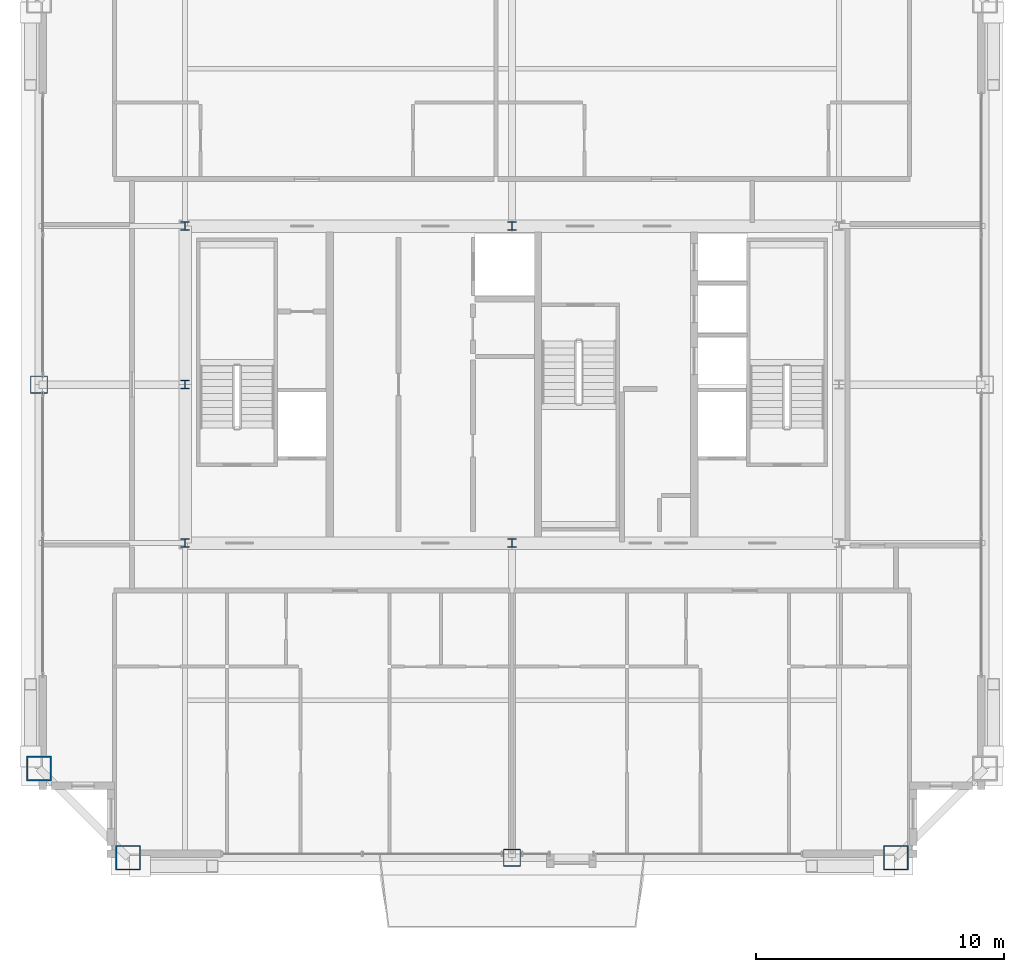
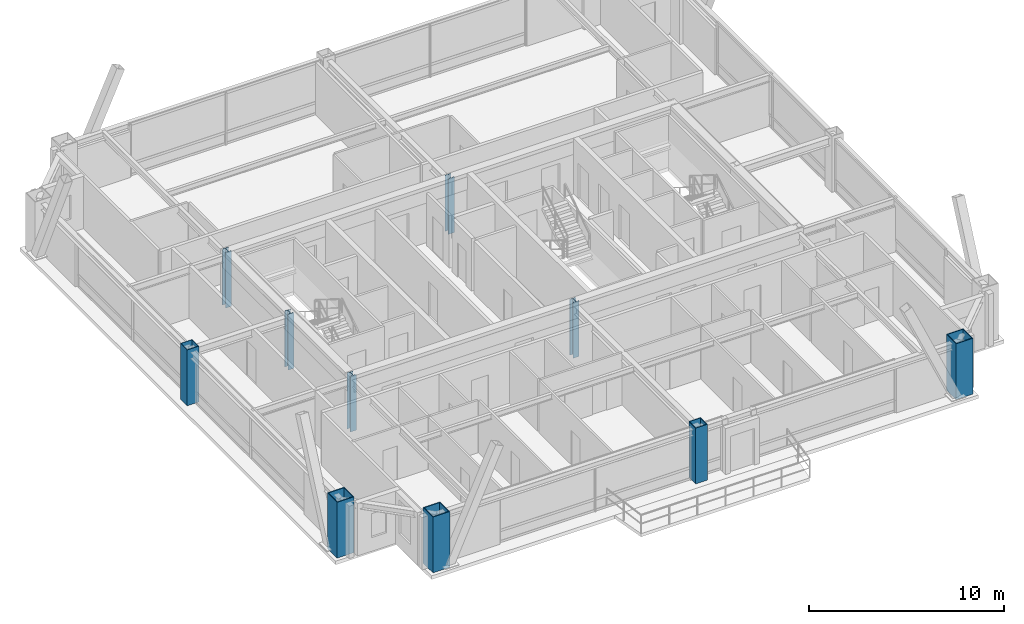
# One storey, part 1 of 34: 10 columns.
"""IFC4 building model written with IfcOpenShell, lengths in metres."""

import ifcopenshell
import ifcopenshell.guid

model = None  # the IFC model being written
_history = None  # IfcOwnerHistory: only IFC2X3 demands one
_inside = {}  # id of a spatial element -> (the spatial element, [elements in it])
_under = {}  # id of a project, library or spatial element -> (it, [spatial elements below it])
_declared = {}  # id of a project -> (the project, [libraries it declares])
_typed = {}  # id of a type object -> (the type object, [elements of that type])
_made_of = {}  # id of a material, layer set ... -> (it, [elements and type objects made of it])


def new_model(schema):
    """Start an empty IFC model of exactly this schema.

    Asked for "IFC4X3", IfcOpenShell would pick the latest addendum, in which some entities
    have other attributes; the version numbers below select the first issue.
    IFC2X3 requires an IfcOwnerHistory on every rooted entity: one is made here for all.
    """
    global model, _history
    if schema == "IFC4X3":
        model = ifcopenshell.file(schema_version=(4, 3, 0, 0))
    else:
        model = ifcopenshell.file(schema=schema)
    _inside.clear()
    _under.clear()
    _declared.clear()
    _typed.clear()
    _made_of.clear()
    _history = None
    if model.schema == "IFC2X3":
        org = make("IfcOrganization", Name="unknown")
        user = make(
            "IfcPersonAndOrganization",
            ThePerson=make("IfcPerson", FamilyName="unknown"),
            TheOrganization=org,
        )
        app = make(
            "IfcApplication",
            ApplicationDeveloper=org,
            Version="unknown",
            ApplicationFullName="unknown",
            ApplicationIdentifier="unknown",
        )
        _history = make(
            "IfcOwnerHistory",
            OwningUser=user,
            OwningApplication=app,
            ChangeAction="ADDED",
            CreationDate=0,
        )
    return model


def make(cls, **values):
    """One entity of the class cls with the attributes given. An attribute that is None is left unset."""
    return model.create_entity(
        cls, **{name: value for name, value in values.items() if value is not None}
    )


def rooted(cls, **values):
    """An entity with a GlobalId (a new one), such as an element, a storey or a relation."""
    return make(cls, GlobalId=ifcopenshell.guid.new(), OwnerHistory=_history, **values)


def si_unit(unit_type, name, prefix=None):
    """IfcSIUnit, for example si_unit("LENGTHUNIT", "METRE", prefix="MILLI")."""
    return make("IfcSIUnit", UnitType=unit_type, Prefix=prefix, Name=name)


def assignment(units):
    """IfcUnitAssignment: the units of a project."""
    return None if units is None else make("IfcUnitAssignment", Units=units)


def point(xyz):
    """IfcCartesianPoint."""
    return None if xyz is None else make("IfcCartesianPoint", Coordinates=xyz)


def direction(xyz):
    """IfcDirection."""
    return None if xyz is None else make("IfcDirection", DirectionRatios=xyz)


def frame(location, z_axis=None, x_axis=None):
    """IfcAxis2Placement3D, a coordinate frame: its origin and axes. An axis left out is left unset."""
    return make(
        "IfcAxis2Placement3D",
        Location=point(location),
        Axis=direction(z_axis),
        RefDirection=direction(x_axis),
    )


def frame_2d(location, x_axis=None):
    """IfcAxis2Placement2D, a coordinate frame in the plane: its origin and x axis."""
    return make(
        "IfcAxis2Placement2D", Location=point(location), RefDirection=direction(x_axis)
    )


def origin():
    """The frame at (0, 0, 0) with its axes left unset."""
    return frame((0.0, 0.0, 0.0))


def origin_2d():
    """The frame at (0, 0) in the plane with its x axis left unset."""
    return frame_2d((0.0, 0.0))


def place(relative_to, where):
    """IfcLocalPlacement: puts the frame where relative to a parent placement (None: the world)."""
    return make(
        "IfcLocalPlacement", PlacementRelTo=relative_to, RelativePlacement=where
    )


def context(
    kind, dimensions, precision=None, world=None, true_north=None, identifier=None
):
    """IfcGeometricRepresentationContext, for example the 3D "Model" context."""
    return make(
        "IfcGeometricRepresentationContext",
        ContextIdentifier=identifier,
        ContextType=kind,
        CoordinateSpaceDimension=dimensions,
        Precision=precision,
        WorldCoordinateSystem=world,
        TrueNorth=true_north,
    )


def subcontext(parent, identifier, kind, view, scale=None):
    """IfcGeometricRepresentationSubContext, for example "Body" below "Model"."""
    return make(
        "IfcGeometricRepresentationSubContext",
        ContextIdentifier=identifier,
        ContextType=kind,
        ParentContext=parent,
        TargetScale=scale,
        TargetView=view,
    )


def project(units=None, contexts=None):
    """IfcProject with its units and contexts."""
    return rooted(
        "IfcProject",
        Name="project",
        RepresentationContexts=contexts,
        UnitsInContext=assignment(units),
    )


def spatial(cls, under=None, at=None, **own):
    """A site, building, storey or space (cls), placed at a placement, below another one or the project."""
    s = rooted(cls, ObjectPlacement=at, **own)
    if under is not None:
        _under.setdefault(under.id(), (under, []))[1].append(s)
    return s


def profile(cls, at=None, kind="AREA", **sizes):
    """A parametric profile (cls). Its sizes go by their IFC names, for example OverallWidth=200.0."""
    return make(cls, ProfileType=kind, Position=at, **sizes)


def hollow_rectangle(**sizes):
    """IfcRectangleHollowProfileDef."""
    return profile("IfcRectangleHollowProfileDef", **sizes)


def i_section(**sizes):
    """IfcIShapeProfileDef."""
    return profile("IfcIShapeProfileDef", **sizes)


def extrude(swept, where, along, depth):
    """IfcExtrudedAreaSolid: the profile swept, set in the frame where, extruded along a direction by depth."""
    return make(
        "IfcExtrudedAreaSolid",
        SweptArea=swept,
        Position=where,
        ExtrudedDirection=direction(along),
        Depth=depth,
    )


def shape(context_of_items, identifier, shape_type, items):
    """IfcShapeRepresentation: the items that make up one representation, for example the "Body"."""
    return make(
        "IfcShapeRepresentation",
        ContextOfItems=context_of_items,
        RepresentationIdentifier=identifier,
        RepresentationType=shape_type,
        Items=items,
    )


def source(mapping_origin, context_of_items, identifier, shape_type, items):
    """IfcRepresentationMap: a shape defined once, which mapped items show again and again."""
    return make(
        "IfcRepresentationMap",
        MappingOrigin=mapping_origin,
        MappedRepresentation=shape(context_of_items, identifier, shape_type, items),
    )


def transform(
    local_origin,
    x_axis=None,
    y_axis=None,
    z_axis=None,
    scale=None,
    scale2=None,
    scale3=None,
    uniform=True,
):
    """IfcCartesianTransformationOperator3D, or its non-uniform kind. x_axis, y_axis, z_axis: its Axis1, 2, 3."""
    if uniform:
        return make(
            "IfcCartesianTransformationOperator3D",
            Axis1=direction(x_axis),
            Axis2=direction(y_axis),
            LocalOrigin=point(local_origin),
            Scale=scale,
            Axis3=direction(z_axis),
        )
    return make(
        "IfcCartesianTransformationOperator3DnonUniform",
        Axis1=direction(x_axis),
        Axis2=direction(y_axis),
        LocalOrigin=point(local_origin),
        Scale=scale,
        Axis3=direction(z_axis),
        Scale2=scale2,
        Scale3=scale3,
    )


def mapped(mapping_source, mapping_target):
    """IfcMappedItem: shows the shape of a source again, moved by a transform."""
    return make(
        "IfcMappedItem", MappingSource=mapping_source, MappingTarget=mapping_target
    )


def material(Name=None, Category=None):
    """IfcMaterial."""
    return make("IfcMaterial", Name=Name, Category=Category)


def material_profile(
    of_material, cross_section, Name=None, Category=None, Priority=None
):
    """IfcMaterialProfile: a cross section and its material."""
    return make(
        "IfcMaterialProfile",
        Name=Name,
        Material=of_material,
        Profile=cross_section,
        Priority=Priority,
        Category=Category,
    )


def profile_set(profiles, Name=None, composite=None):
    """IfcMaterialProfileSet."""
    return make(
        "IfcMaterialProfileSet",
        Name=Name,
        MaterialProfiles=profiles,
        CompositeProfile=composite,
    )


def made_of(thing, what):
    """Note that an element or type object is made of a material, layer set ...; save() writes the relation."""
    if what is not None:
        _made_of.setdefault(what.id(), (what, []))[1].append(thing)
    return thing


def type_object(cls, material=None, **own):
    """A type object (cls), such as IfcWallType, which elements share."""
    return made_of(rooted(cls, **own), material)


def element(
    cls,
    number,
    at=None,
    inside=None,
    cuts=None,
    type_object=None,
    material=None,
    context=None,
    identifier="Body",
    shape_type=None,
    held_by="IfcProductDefinitionShape",
    body=None,
    shapes=None,
    **own,
):
    """One element of the class cls, such as IfcWall. Its Tag is "e" and its number.

    at: its placement. inside: the storey or other place that contains it. cuts: it is an
    opening in that element (IfcRelVoidsElement). A single representation is given by context,
    identifier, shape_type and body (its items); several are given by shapes. held_by: the class
    of the entity that holds the representations. save() writes the other relations.
    """
    e = rooted(cls, Tag="e%d" % number, ObjectPlacement=at, **own)
    if body is not None:
        shapes = [shape(context, identifier, shape_type, body)]
    if shapes is not None:
        e.Representation = make(held_by, Representations=shapes)
    if inside is not None:
        _inside.setdefault(inside.id(), (inside, []))[1].append(e)
    if cuts is not None:
        rooted(
            "IfcRelVoidsElement", RelatingBuildingElement=cuts, RelatedOpeningElement=e
        )
    if type_object is not None:
        _typed.setdefault(type_object.id(), (type_object, []))[1].append(e)
    return made_of(e, material)


def aggregate(whole, parts):
    """IfcRelAggregates: a whole, such as a stair, and the parts it consists of."""
    return rooted("IfcRelAggregates", RelatingObject=whole, RelatedObjects=parts)


def save(model, path):
    """Write the relations noted so far, then the file.

    IfcRelAggregates (storeys below a building ...), IfcRelContainedInSpatialStructure (elements
    in a storey), IfcRelDefinesByType, IfcRelAssociatesMaterial and IfcRelDeclares: one each for
    every whole, place, type object, material and project.
    """
    for whole, parts in _under.values():
        aggregate(whole, parts)
    for where, things in _inside.values():
        rooted(
            "IfcRelContainedInSpatialStructure",
            RelatedElements=things,
            RelatingStructure=where,
        )
    for kind, things in _typed.values():
        rooted("IfcRelDefinesByType", RelatedObjects=things, RelatingType=kind)
    for what, things in _made_of.values():
        rooted("IfcRelAssociatesMaterial", RelatedObjects=things, RelatingMaterial=what)
    for by, libraries in _declared.values():
        rooted("IfcRelDeclares", RelatingContext=by, RelatedDefinitions=libraries)
    model.write(path)


model = new_model("IFC4")

# Units and contexts
model_context = context("Model", 3, precision=1e-05, world=origin(), true_north=direction((0.0, 1.0)))
body_context = subcontext(model_context, "Body", "Model", "MODEL_VIEW")
ifc_project = project(units=[si_unit("LENGTHUNIT", "METRE"), si_unit("AREAUNIT", "SQUARE_METRE"), si_unit("VOLUMEUNIT", "CUBIC_METRE"), si_unit("PLANEANGLEUNIT", "RADIAN"), si_unit("MASSUNIT", "GRAM", prefix="KILO"), si_unit("THERMODYNAMICTEMPERATUREUNIT", "KELVIN"), si_unit("POWERUNIT", "WATT")], contexts=[model_context])

# Site, building, storey
site_placement = place(None, origin())
site = spatial("IfcSite", under=ifc_project, at=site_placement, CompositionType="ELEMENT")
building_placement = place(site_placement, origin())
building = spatial("IfcBuilding", under=site, at=building_placement, Name="Yuzanri Waterfront Tower", CompositionType="ELEMENT")
storey_placement = place(building_placement, frame((0.0, 0.0, 328.699951171875)))
storey = spatial("IfcBuildingStorey", under=building, at=storey_placement, Name="L88", CompositionType="ELEMENT", Elevation=328.699951171875)

# Columns
ifc_material_1 = material(Name="Steel Q355B", Category="steel")
ifc_material_profile_1 = material_profile(ifc_material_1, hollow_rectangle(XDim=0.699951171875, YDim=0.699951171875, WallThickness=0.031982421875, at=origin_2d()), Name="RHS 700x700x32")
ifc_profile_set_1 = profile_set([ifc_material_profile_1], Name="Steel Q355B")
column_type_1 = type_object("IfcColumnType", Name="Frame Column Q355B RHS 700x700x32", PredefinedType="COLUMN", material=ifc_profile_set_1)
shared_shape_1 = source(origin(), body_context, "Body", "SweptSolid", [
    extrude(hollow_rectangle(XDim=0.699951171875, YDim=0.699951171875, WallThickness=0.031982421875, at=origin_2d()), origin(), (0.0, 0.0, 1.0), 3.5),
])
for number, where, z_axis, x_axis, name in (
    (1, (37.0, 6.699951171875, 0.0), (0.0, 0.0, 1.0), (1.0, 0.0, 0.0), "L88 Perimeter Frame Column S2"),
    (2, (17.89990234375, 25.800048828125, 0.0), (0.0, 0.0, 1.0), (1.0, 0.0, 0.0), "L88 Perimeter Frame Column W2"),
):
    element("IfcColumn", number, at=place(storey_placement, frame(where, z_axis=z_axis, x_axis=x_axis)), inside=storey, type_object=column_type_1, Name=name, PredefinedType="COLUMN", context=body_context, shape_type="MappedRepresentation", body=[
        mapped(shared_shape_1, transform((0.0, 0.0, 0.0), scale=1.0)),
    ])
ifc_material_2 = material(Name="Steel Q355B", Category="steel")
ifc_material_profile_2 = material_profile(ifc_material_2, i_section(OverallWidth=0.35009765625, OverallDepth=0.35009765625, WebThickness=0.011962890625, FlangeThickness=0.01904296875, at=origin_2d()), Name="HW 350x350x12x19")
ifc_profile_set_2 = profile_set([ifc_material_profile_2], Name="Steel Q355B")
column_type_2 = type_object("IfcColumnType", Name="Core Post Q355B HW 350x350x12x19", PredefinedType="COLUMN", material=ifc_profile_set_2)
shared_shape_2 = source(origin(), body_context, "Body", "SweptSolid", [
    extrude(i_section(OverallWidth=0.35009765625, OverallDepth=0.35009765625, WebThickness=0.011962890625, FlangeThickness=0.01904296875, at=origin_2d()), origin(), (0.0, 0.0, 1.0), 3.5),
])
for number, where, z_axis, x_axis, name in (
    (3, (23.800048828125, 19.39990234375, 0.0), (0.0, 0.0, 1.0), (1.0, 0.0, 0.0), "L88 Core Boundary Column CP1"),
    (4, (37.0, 19.39990234375, 0.0), (0.0, 0.0, 1.0), (1.0, 0.0, 0.0), "L88 Core Boundary Column CP2"),
    (5, (23.800048828125, 25.800048828125, 0.0), (0.0, 0.0, 1.0), (1.0, 0.0, 0.0), "L88 Core Boundary Column CP4"),
    (6, (23.800048828125, 32.199951171875, 0.0), (0.0, 0.0, 1.0), (1.0, 0.0, 0.0), "L88 Core Boundary Column CP6"),
    (7, (37.0, 32.199951171875, 0.0), (0.0, 0.0, 1.0), (1.0, 0.0, 0.0), "L88 Core Boundary Column CP7"),
):
    element("IfcColumn", number, at=place(storey_placement, frame(where, z_axis=z_axis, x_axis=x_axis)), inside=storey, type_object=column_type_2, Name=name, PredefinedType="COLUMN", context=body_context, shape_type="MappedRepresentation", body=[
        mapped(shared_shape_2, transform((0.0, 0.0, 0.0), scale=1.0)),
    ])
ifc_material_3 = material(Name="Steel Q390GJC", Category="steel")
ifc_material_profile_3 = material_profile(ifc_material_3, hollow_rectangle(XDim=1.0, YDim=1.0, WallThickness=0.048095703125, at=origin_2d()), Name="RHS 1000x1000x48")
ifc_profile_set_3 = profile_set([ifc_material_profile_3], Name="Steel Q390GJC")
column_type_3 = type_object("IfcColumnType", Name="Mega Column Q390GJC RHS 1000x1000x48", PredefinedType="COLUMN", material=ifc_profile_set_3)
shared_shape_3 = source(origin(), body_context, "Body", "SweptSolid", [
    extrude(hollow_rectangle(XDim=1.0, YDim=1.0, WallThickness=0.048095703125, at=origin_2d()), origin(), (0.0, 0.0, 1.0), 3.5),
])
for number, where, z_axis, x_axis, name in (
    (8, (21.5, 6.699951171875, 0.0), (0.0, 0.0, 1.0), (1.0, 0.0, 0.0), "L88 Perimeter Mega Column S1"),
    (9, (52.5, 6.699951171875, 0.0), (0.0, 0.0, 1.0), (1.0, 0.0, 0.0), "L88 Perimeter Mega Column S3"),
    (10, (17.89990234375, 10.300048828125, 0.0), (0.0, 0.0, 1.0), (1.0, 0.0, 0.0), "L88 Perimeter Mega Column W1"),
):
    element("IfcColumn", number, at=place(storey_placement, frame(where, z_axis=z_axis, x_axis=x_axis)), inside=storey, type_object=column_type_3, Name=name, PredefinedType="COLUMN", context=body_context, shape_type="MappedRepresentation", body=[
        mapped(shared_shape_3, transform((0.0, 0.0, 0.0), scale=1.0)),
    ])

save(model, "model.ifc")
